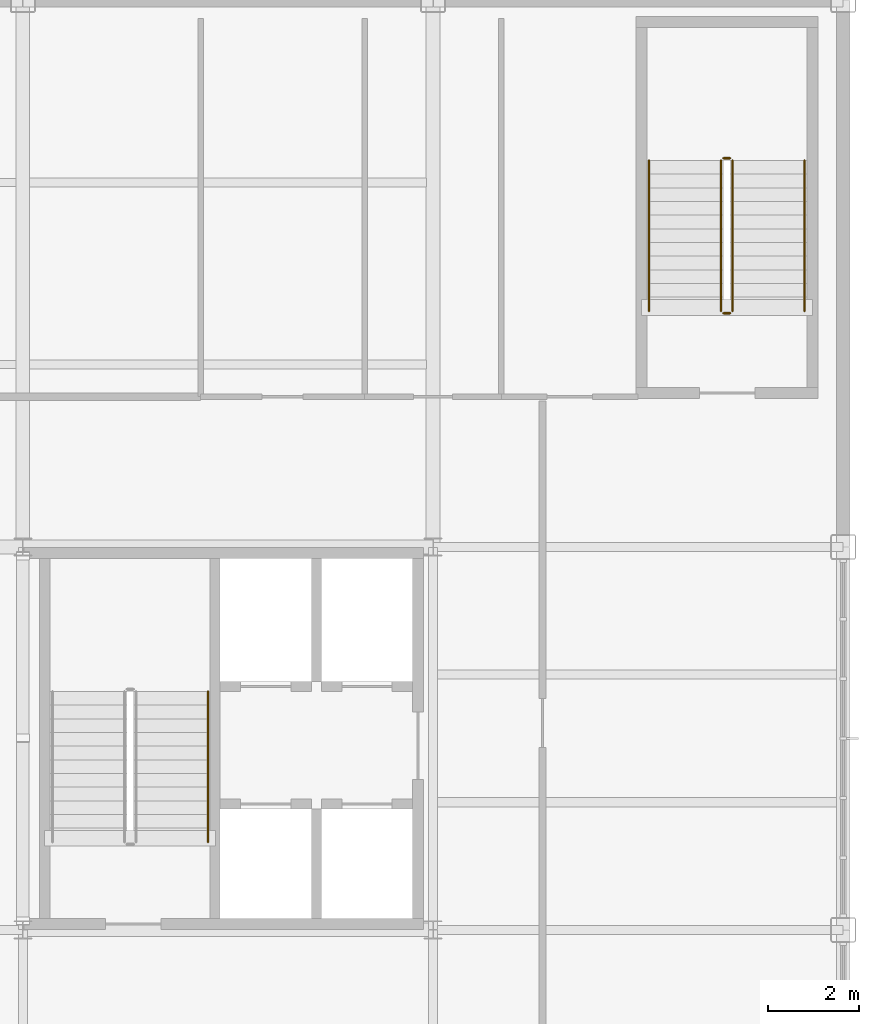
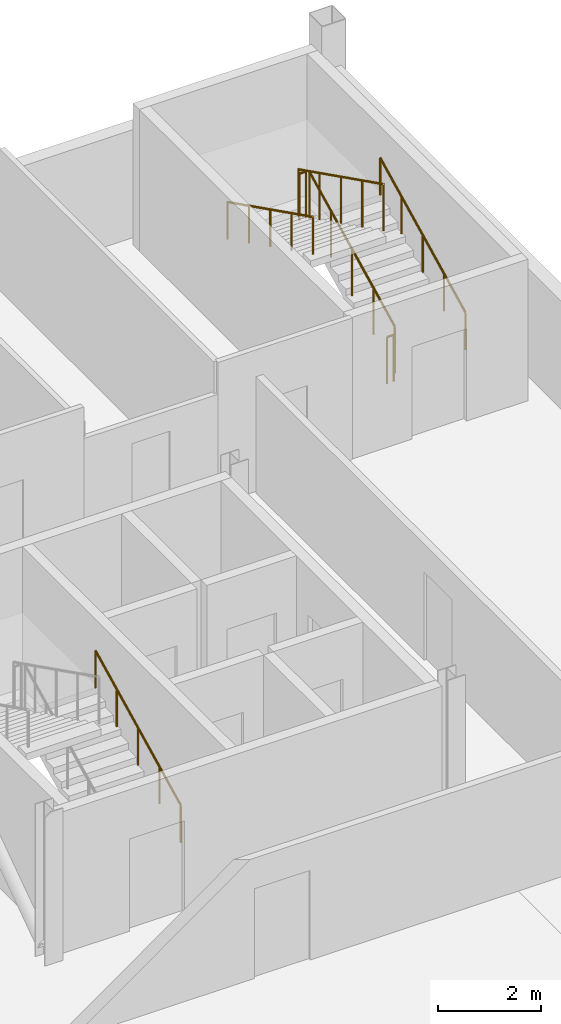
# One storey, part 18 of 18: 7 railings.
"""IFC4 building model written with IfcOpenShell, lengths in metres."""

from ifc_helpers import new_model, si_unit, direction, frame, origin, origin_2d, place, context, subcontext, project, spatial, circle, extrude, material, layer, layer_set, type_object, element, save


model = new_model("IFC4")

# Units and contexts
model_context = context("Model", 3, precision=1e-05, world=origin(), true_north=direction((0.0, 1.0)))
body_context = subcontext(model_context, "Body", "Model", "MODEL_VIEW")
ifc_project = project(units=[si_unit("LENGTHUNIT", "METRE"), si_unit("AREAUNIT", "SQUARE_METRE"), si_unit("VOLUMEUNIT", "CUBIC_METRE"), si_unit("PLANEANGLEUNIT", "RADIAN"), si_unit("MASSUNIT", "GRAM", prefix="KILO")], contexts=[model_context])

# Site, building, storey
site_placement = place(None, origin())
site = spatial("IfcSite", under=ifc_project, at=site_placement, CompositionType="ELEMENT")
building_placement = place(site_placement, origin())
building = spatial("IfcBuilding", under=site, at=building_placement, Name="Yukiwa Park Conservatory and Herbarium", CompositionType="ELEMENT")
storey_placement = place(building_placement, frame((0.0, 0.0, 24.60009765625)))
storey = spatial("IfcBuildingStorey", under=building, at=storey_placement, Name="L06", CompositionType="ELEMENT", Elevation=24.60009765625)

# Railings
ifc_material_1 = material(Name="Steel Q235B", Category="steel")
ifc_layer_1 = layer(ifc_material_1, 0.050048828125)
ifc_layer_set_1 = layer_set([ifc_layer_1], Name="Steel Q235B")
railing_type_1 = type_object("IfcRailingType", Name="RL-STAIR-GUARD-1120", PredefinedType="BALUSTRADE", material=ifc_layer_set_1)
railing_1_placement = place(storey_placement, frame((165.570068359375, 108.3798828125, 0.14990234375)))
element("IfcRailing", 1, at=railing_1_placement, inside=storey, type_object=railing_type_1, Name="L06 ST-T3 stair guard 1", PredefinedType="BALUSTRADE", context=body_context, shape_type="SweptSolid", body=[
    extrude(circle(Radius=0.02392578125, at=origin_2d()), frame((0.0, 0.0, 1.09619140625), z_axis=(0.0, 0.894440424912, 0.447187126696), x_axis=(-1.0, 0.0, 0.0)), (0.0, 0.0, 1.0), 3.689453125),
    extrude(circle(Radius=0.02099609375, at=origin_2d()), origin(), (0.0, 0.0, 1.0), 1.072021484375),
    extrude(circle(Radius=0.02099609375, at=origin_2d()), frame((0.0, 0.824951171875, 0.41259765625)), (0.0, 0.0, 1.0), 1.072021484375),
    extrude(circle(Radius=0.02099609375, at=origin_2d()), frame((0.0, 1.64990234375, 0.824951171875)), (0.0, 0.0, 1.0), 1.072021484375),
    extrude(circle(Radius=0.02099609375, at=origin_2d()), frame((0.0, 2.47509765625, 1.2373046875)), (0.0, 0.0, 1.0), 1.072021484375),
    extrude(circle(Radius=0.02099609375, at=origin_2d()), frame((0.0, 3.300048828125, 1.64990234375)), (0.0, 0.0, 1.0), 1.072021484375),
])
railing_2_placement = place(storey_placement, frame((165.52001953125, 111.72998046875, 1.7998046875)))
element("IfcRailing", 2, at=railing_2_placement, inside=storey, type_object=railing_type_1, Name="L06 ST-T3 stair guard 2", PredefinedType="BALUSTRADE", context=body_context, shape_type="SweptSolid", body=[
    extrude(circle(Radius=0.02392578125, at=origin_2d()), frame((0.0, 0.0, 1.09619140625), z_axis=(-1.0, 0.0, 0.0), x_axis=(0.0, -1.0, 0.0)), (0.0, 0.0, 1.0), 0.14990234375),
    extrude(circle(Radius=0.02099609375, at=origin_2d()), origin(), (0.0, 0.0, 1.0), 1.072021484375),
    extrude(circle(Radius=0.02099609375, at=origin_2d()), frame((-0.14990234375, 0.0, 0.0)), (0.0, 0.0, 1.0), 1.072021484375),
])
railing_3_placement = place(storey_placement, frame((165.320068359375, 111.679931640625, 1.949951171875)))
element("IfcRailing", 3, at=railing_3_placement, inside=storey, type_object=railing_type_1, Name="L06 ST-T3 stair guard 3", PredefinedType="BALUSTRADE", context=body_context, shape_type="SweptSolid", body=[
    extrude(circle(Radius=0.02392578125, at=origin_2d()), frame((0.0, 0.0, 1.09619140625), z_axis=(0.0, -0.894440424912, 0.447187126696), x_axis=(1.0, 0.0, 0.0)), (0.0, 0.0, 1.0), 3.689453125),
    extrude(circle(Radius=0.02099609375, at=origin_2d()), origin(), (0.0, 0.0, 1.0), 1.072021484375),
    extrude(circle(Radius=0.02099609375, at=origin_2d()), frame((0.0, -0.824951171875, 0.41259765625)), (0.0, 0.0, 1.0), 1.072021484375),
    extrude(circle(Radius=0.02099609375, at=origin_2d()), frame((0.0, -1.64990234375, 0.824951171875)), (0.0, 0.0, 1.0), 1.072021484375),
    extrude(circle(Radius=0.02099609375, at=origin_2d()), frame((0.0, -2.47509765625, 1.2373046875)), (0.0, 0.0, 1.0), 1.072021484375),
    extrude(circle(Radius=0.02099609375, at=origin_2d()), frame((0.0, -3.300048828125, 1.64990234375)), (0.0, 0.0, 1.0), 1.072021484375),
])
railing_4_placement = place(storey_placement, frame((165.52001953125, 108.330078125, 0.0)))
element("IfcRailing", 4, at=railing_4_placement, inside=storey, type_object=railing_type_1, Name="L06 ST-T3 stair guard 4", PredefinedType="BALUSTRADE", context=body_context, shape_type="SweptSolid", body=[
    extrude(circle(Radius=0.02392578125, at=origin_2d()), frame((0.0, 0.0, 1.09619140625), z_axis=(-1.0, 0.0, 0.0), x_axis=(0.0, -1.0, 0.0)), (0.0, 0.0, 1.0), 0.14990234375),
    extrude(circle(Radius=0.02099609375, at=origin_2d()), origin(), (0.0, 0.0, 1.0), 1.072021484375),
    extrude(circle(Radius=0.02099609375, at=origin_2d()), frame((-0.14990234375, 0.0, 0.0)), (0.0, 0.0, 1.0), 1.072021484375),
])
ifc_material_2 = material(Name="Steel Q235B", Category="steel")
ifc_layer_2 = layer(ifc_material_2, 0.044921875)
ifc_layer_set_2 = layer_set([ifc_layer_2], Name="Steel Q235B")
railing_type_2 = type_object("IfcRailingType", Name="RL-STAIR-RAIL-900", PredefinedType="HANDRAIL", material=ifc_layer_set_2)
for number, where, name in (
    (5, (154.06005859375, 96.72998046875, 0.14990234375), "L06 ST-T2 stair handrail 1"),
    (6, (167.14990234375, 108.3798828125, 0.14990234375), "L06 ST-T3 stair handrail 1"),
):
    element("IfcRailing", number, at=place(storey_placement, frame(where)), inside=storey, type_object=railing_type_2, Name=name, PredefinedType="HANDRAIL", context=body_context, shape_type="SweptSolid", body=[
        extrude(circle(Radius=0.02392578125, at=origin_2d()), frame((0.0, 0.0, 0.8759765625), z_axis=(0.0, 0.894440424912, 0.447187126696), x_axis=(-1.0, 0.0, 0.0)), (0.0, 0.0, 1.0), 3.689453125),
        extrude(circle(Radius=0.02099609375, at=origin_2d()), origin(), (0.0, 0.0, 1.0), 0.851806640625),
        extrude(circle(Radius=0.02099609375, at=origin_2d()), frame((0.0, 0.824951171875, 0.41259765625)), (0.0, 0.0, 1.0), 0.851806640625),
        extrude(circle(Radius=0.02099609375, at=origin_2d()), frame((0.0, 1.64990234375, 0.824951171875)), (0.0, 0.0, 1.0), 0.851806640625),
        extrude(circle(Radius=0.02099609375, at=origin_2d()), frame((0.0, 2.47509765625, 1.2373046875)), (0.0, 0.0, 1.0), 0.851806640625),
        extrude(circle(Radius=0.02099609375, at=origin_2d()), frame((0.0, 3.300048828125, 1.64990234375)), (0.0, 0.0, 1.0), 0.851806640625),
    ])
railing_5_placement = place(storey_placement, frame((163.739990234375, 111.679931640625, 1.949951171875)))
element("IfcRailing", 7, at=railing_5_placement, inside=storey, type_object=railing_type_2, Name="L06 ST-T3 stair handrail 2", PredefinedType="HANDRAIL", context=body_context, shape_type="SweptSolid", body=[
    extrude(circle(Radius=0.02392578125, at=origin_2d()), frame((0.0, 0.0, 0.8759765625), z_axis=(0.0, -0.894440424912, 0.447187126696), x_axis=(1.0, 0.0, 0.0)), (0.0, 0.0, 1.0), 3.689453125),
    extrude(circle(Radius=0.02099609375, at=origin_2d()), origin(), (0.0, 0.0, 1.0), 0.851806640625),
    extrude(circle(Radius=0.02099609375, at=origin_2d()), frame((0.0, -0.824951171875, 0.41259765625)), (0.0, 0.0, 1.0), 0.851806640625),
    extrude(circle(Radius=0.02099609375, at=origin_2d()), frame((0.0, -1.64990234375, 0.824951171875)), (0.0, 0.0, 1.0), 0.851806640625),
    extrude(circle(Radius=0.02099609375, at=origin_2d()), frame((0.0, -2.47509765625, 1.2373046875)), (0.0, 0.0, 1.0), 0.851806640625),
    extrude(circle(Radius=0.02099609375, at=origin_2d()), frame((0.0, -3.300048828125, 1.64990234375)), (0.0, 0.0, 1.0), 0.851806640625),
])

save(model, "model.ifc")
